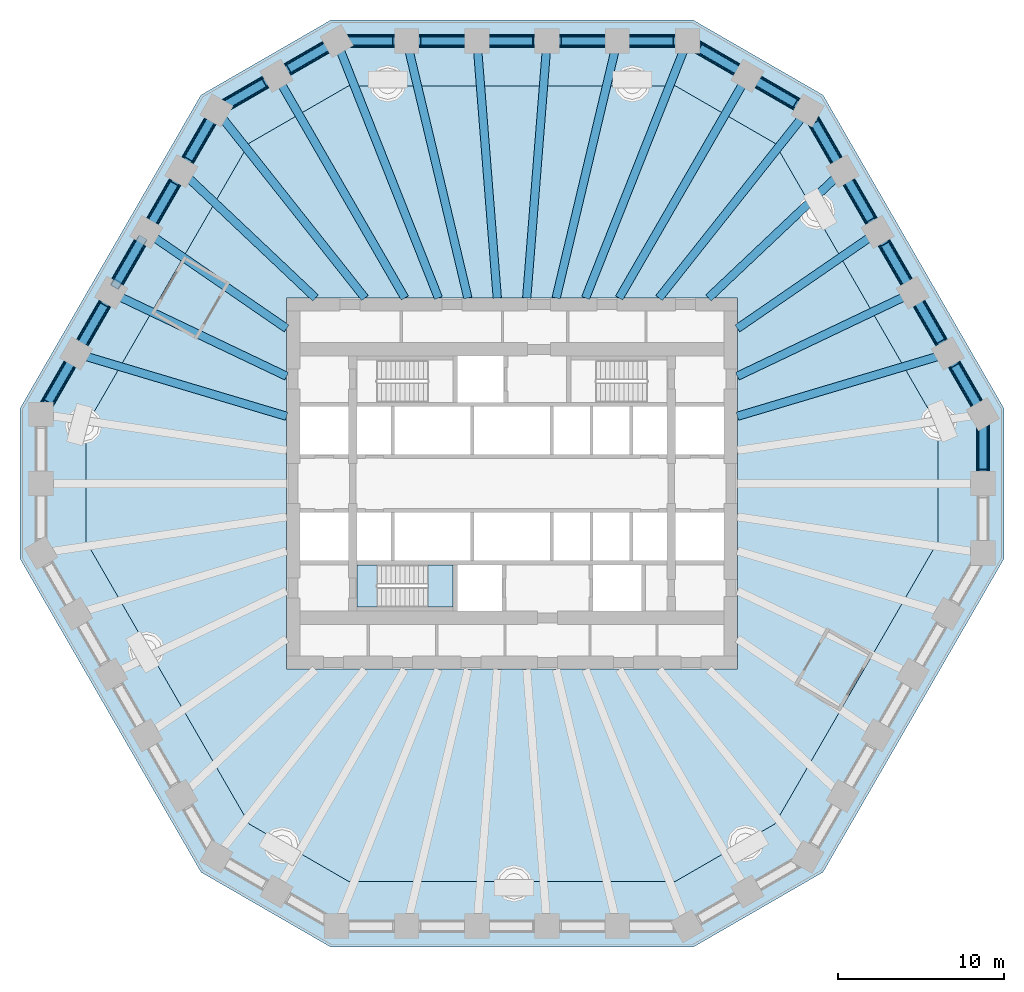
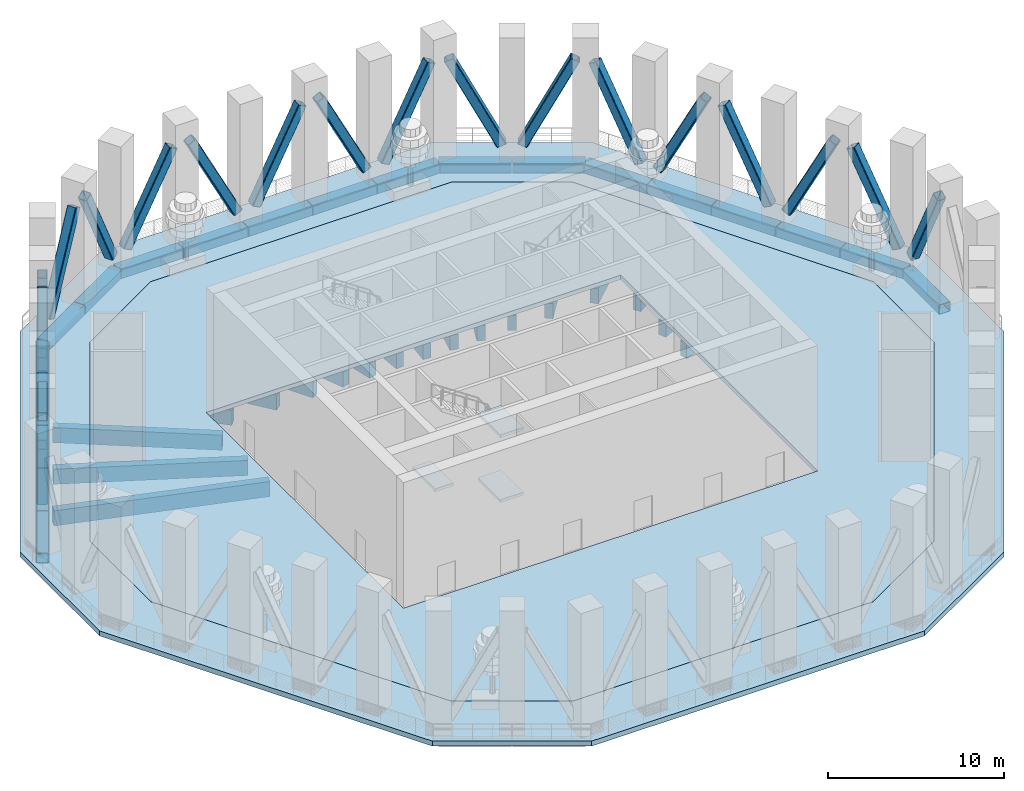
# One storey, part 2 of 10: 38 beams, 21 members, 5 slabs, 1 element without a shape of its own.
"""IFC4 building model written with IfcOpenShell, lengths in metres."""

import ifcopenshell
import ifcopenshell.guid

model = None  # the IFC model being written
_history = None  # IfcOwnerHistory: only IFC2X3 demands one
_inside = {}  # id of a spatial element -> (the spatial element, [elements in it])
_under = {}  # id of a project, library or spatial element -> (it, [spatial elements below it])
_declared = {}  # id of a project -> (the project, [libraries it declares])
_typed = {}  # id of a type object -> (the type object, [elements of that type])
_made_of = {}  # id of a material, layer set ... -> (it, [elements and type objects made of it])


def new_model(schema):
    """Start an empty IFC model of exactly this schema.

    Asked for "IFC4X3", IfcOpenShell would pick the latest addendum, in which some entities
    have other attributes; the version numbers below select the first issue.
    IFC2X3 requires an IfcOwnerHistory on every rooted entity: one is made here for all.
    """
    global model, _history
    if schema == "IFC4X3":
        model = ifcopenshell.file(schema_version=(4, 3, 0, 0))
    else:
        model = ifcopenshell.file(schema=schema)
    _inside.clear()
    _under.clear()
    _declared.clear()
    _typed.clear()
    _made_of.clear()
    _history = None
    if model.schema == "IFC2X3":
        org = make("IfcOrganization", Name="unknown")
        user = make(
            "IfcPersonAndOrganization",
            ThePerson=make("IfcPerson", FamilyName="unknown"),
            TheOrganization=org,
        )
        app = make(
            "IfcApplication",
            ApplicationDeveloper=org,
            Version="unknown",
            ApplicationFullName="unknown",
            ApplicationIdentifier="unknown",
        )
        _history = make(
            "IfcOwnerHistory",
            OwningUser=user,
            OwningApplication=app,
            ChangeAction="ADDED",
            CreationDate=0,
        )
    return model


def make(cls, **values):
    """One entity of the class cls with the attributes given. An attribute that is None is left unset."""
    return model.create_entity(
        cls, **{name: value for name, value in values.items() if value is not None}
    )


def rooted(cls, **values):
    """An entity with a GlobalId (a new one), such as an element, a storey or a relation."""
    return make(cls, GlobalId=ifcopenshell.guid.new(), OwnerHistory=_history, **values)


def si_unit(unit_type, name, prefix=None):
    """IfcSIUnit, for example si_unit("LENGTHUNIT", "METRE", prefix="MILLI")."""
    return make("IfcSIUnit", UnitType=unit_type, Prefix=prefix, Name=name)


def assignment(units):
    """IfcUnitAssignment: the units of a project."""
    return None if units is None else make("IfcUnitAssignment", Units=units)


def point(xyz):
    """IfcCartesianPoint."""
    return None if xyz is None else make("IfcCartesianPoint", Coordinates=xyz)


def direction(xyz):
    """IfcDirection."""
    return None if xyz is None else make("IfcDirection", DirectionRatios=xyz)


def frame(location, z_axis=None, x_axis=None):
    """IfcAxis2Placement3D, a coordinate frame: its origin and axes. An axis left out is left unset."""
    return make(
        "IfcAxis2Placement3D",
        Location=point(location),
        Axis=direction(z_axis),
        RefDirection=direction(x_axis),
    )


def frame_2d(location, x_axis=None):
    """IfcAxis2Placement2D, a coordinate frame in the plane: its origin and x axis."""
    return make(
        "IfcAxis2Placement2D", Location=point(location), RefDirection=direction(x_axis)
    )


def origin():
    """The frame at (0, 0, 0) with its axes left unset."""
    return frame((0.0, 0.0, 0.0))


def origin_2d():
    """The frame at (0, 0) in the plane with its x axis left unset."""
    return frame_2d((0.0, 0.0))


def place(relative_to, where):
    """IfcLocalPlacement: puts the frame where relative to a parent placement (None: the world)."""
    return make(
        "IfcLocalPlacement", PlacementRelTo=relative_to, RelativePlacement=where
    )


def context(
    kind, dimensions, precision=None, world=None, true_north=None, identifier=None
):
    """IfcGeometricRepresentationContext, for example the 3D "Model" context."""
    return make(
        "IfcGeometricRepresentationContext",
        ContextIdentifier=identifier,
        ContextType=kind,
        CoordinateSpaceDimension=dimensions,
        Precision=precision,
        WorldCoordinateSystem=world,
        TrueNorth=true_north,
    )


def subcontext(parent, identifier, kind, view, scale=None):
    """IfcGeometricRepresentationSubContext, for example "Body" below "Model"."""
    return make(
        "IfcGeometricRepresentationSubContext",
        ContextIdentifier=identifier,
        ContextType=kind,
        ParentContext=parent,
        TargetScale=scale,
        TargetView=view,
    )


def project(units=None, contexts=None):
    """IfcProject with its units and contexts."""
    return rooted(
        "IfcProject",
        Name="project",
        RepresentationContexts=contexts,
        UnitsInContext=assignment(units),
    )


def spatial(cls, under=None, at=None, **own):
    """A site, building, storey or space (cls), placed at a placement, below another one or the project."""
    s = rooted(cls, ObjectPlacement=at, **own)
    if under is not None:
        _under.setdefault(under.id(), (under, []))[1].append(s)
    return s


def polyline(points):
    """IfcPolyline through the points."""
    return make("IfcPolyline", Points=[point(p) for p in points])


def profile(cls, at=None, kind="AREA", **sizes):
    """A parametric profile (cls). Its sizes go by their IFC names, for example OverallWidth=200.0."""
    return make(cls, ProfileType=kind, Position=at, **sizes)


def rectangle(**sizes):
    """IfcRectangleProfileDef."""
    return profile("IfcRectangleProfileDef", **sizes)


def hollow_rectangle(**sizes):
    """IfcRectangleHollowProfileDef."""
    return profile("IfcRectangleHollowProfileDef", **sizes)


def outline(outer, holes=None, kind="AREA"):
    """IfcArbitraryClosedProfileDef: a profile drawn as a closed curve; with holes, ...WithVoids."""
    if holes is None:
        return make("IfcArbitraryClosedProfileDef", ProfileType=kind, OuterCurve=outer)
    return make(
        "IfcArbitraryProfileDefWithVoids",
        ProfileType=kind,
        OuterCurve=outer,
        InnerCurves=holes,
    )


def extrude(swept, where, along, depth):
    """IfcExtrudedAreaSolid: the profile swept, set in the frame where, extruded along a direction by depth."""
    return make(
        "IfcExtrudedAreaSolid",
        SweptArea=swept,
        Position=where,
        ExtrudedDirection=direction(along),
        Depth=depth,
    )


def shape(context_of_items, identifier, shape_type, items):
    """IfcShapeRepresentation: the items that make up one representation, for example the "Body"."""
    return make(
        "IfcShapeRepresentation",
        ContextOfItems=context_of_items,
        RepresentationIdentifier=identifier,
        RepresentationType=shape_type,
        Items=items,
    )


def material(Name=None, Category=None):
    """IfcMaterial."""
    return make("IfcMaterial", Name=Name, Category=Category)


def layer(
    of_material, thickness, ventilated=None, Name=None, Category=None, Priority=None
):
    """IfcMaterialLayer: one layer of a wall or slab, of a material (None: an air gap)."""
    return make(
        "IfcMaterialLayer",
        Material=of_material,
        LayerThickness=thickness,
        IsVentilated=ventilated,
        Name=Name,
        Category=Category,
        Priority=Priority,
    )


def layer_set(layers, Name=None):
    """IfcMaterialLayerSet."""
    return make("IfcMaterialLayerSet", MaterialLayers=layers, LayerSetName=Name)


def material_profile(
    of_material, cross_section, Name=None, Category=None, Priority=None
):
    """IfcMaterialProfile: a cross section and its material."""
    return make(
        "IfcMaterialProfile",
        Name=Name,
        Material=of_material,
        Profile=cross_section,
        Priority=Priority,
        Category=Category,
    )


def profile_set(profiles, Name=None, composite=None):
    """IfcMaterialProfileSet."""
    return make(
        "IfcMaterialProfileSet",
        Name=Name,
        MaterialProfiles=profiles,
        CompositeProfile=composite,
    )


def made_of(thing, what):
    """Note that an element or type object is made of a material, layer set ...; save() writes the relation."""
    if what is not None:
        _made_of.setdefault(what.id(), (what, []))[1].append(thing)
    return thing


def type_object(cls, material=None, **own):
    """A type object (cls), such as IfcWallType, which elements share."""
    return made_of(rooted(cls, **own), material)


def element(
    cls,
    number,
    at=None,
    inside=None,
    cuts=None,
    type_object=None,
    material=None,
    context=None,
    identifier="Body",
    shape_type=None,
    held_by="IfcProductDefinitionShape",
    body=None,
    shapes=None,
    **own,
):
    """One element of the class cls, such as IfcWall. Its Tag is "e" and its number.

    at: its placement. inside: the storey or other place that contains it. cuts: it is an
    opening in that element (IfcRelVoidsElement). A single representation is given by context,
    identifier, shape_type and body (its items); several are given by shapes. held_by: the class
    of the entity that holds the representations. save() writes the other relations.
    """
    e = rooted(cls, Tag="e%d" % number, ObjectPlacement=at, **own)
    if body is not None:
        shapes = [shape(context, identifier, shape_type, body)]
    if shapes is not None:
        e.Representation = make(held_by, Representations=shapes)
    if inside is not None:
        _inside.setdefault(inside.id(), (inside, []))[1].append(e)
    if cuts is not None:
        rooted(
            "IfcRelVoidsElement", RelatingBuildingElement=cuts, RelatedOpeningElement=e
        )
    if type_object is not None:
        _typed.setdefault(type_object.id(), (type_object, []))[1].append(e)
    return made_of(e, material)


def aggregate(whole, parts):
    """IfcRelAggregates: a whole, such as a stair, and the parts it consists of."""
    return rooted("IfcRelAggregates", RelatingObject=whole, RelatedObjects=parts)


def save(model, path):
    """Write the relations noted so far, then the file.

    IfcRelAggregates (storeys below a building ...), IfcRelContainedInSpatialStructure (elements
    in a storey), IfcRelDefinesByType, IfcRelAssociatesMaterial and IfcRelDeclares: one each for
    every whole, place, type object, material and project.
    """
    for whole, parts in _under.values():
        aggregate(whole, parts)
    for where, things in _inside.values():
        rooted(
            "IfcRelContainedInSpatialStructure",
            RelatedElements=things,
            RelatingStructure=where,
        )
    for kind, things in _typed.values():
        rooted("IfcRelDefinesByType", RelatedObjects=things, RelatingType=kind)
    for what, things in _made_of.values():
        rooted("IfcRelAssociatesMaterial", RelatedObjects=things, RelatingMaterial=what)
    for by, libraries in _declared.values():
        rooted("IfcRelDeclares", RelatingContext=by, RelatedDefinitions=libraries)
    model.write(path)


model = new_model("IFC4")

# Units and contexts
model_context = context("Model", 3, precision=1e-05, world=origin(), true_north=direction((0.0, 1.0)))
body_context = subcontext(model_context, "Body", "Model", "MODEL_VIEW")
ifc_project = project(units=[si_unit("LENGTHUNIT", "METRE"), si_unit("AREAUNIT", "SQUARE_METRE"), si_unit("VOLUMEUNIT", "CUBIC_METRE"), si_unit("PLANEANGLEUNIT", "RADIAN"), si_unit("MASSUNIT", "GRAM", prefix="KILO")], contexts=[model_context])

# Site, building, storey
site_placement = place(None, origin())
site = spatial("IfcSite", under=ifc_project, at=site_placement, CompositionType="ELEMENT")
building_placement = place(site_placement, origin())
building = spatial("IfcBuilding", under=site, at=building_placement, Name="Frailejon Research Tower", CompositionType="ELEMENT")
storey_placement = place(building_placement, frame((0.0, 0.0, 71.800048828125)))
storey = spatial("IfcBuildingStorey", under=building, at=storey_placement, Name="L16", CompositionType="ELEMENT", Elevation=71.800048828125)

# Beams
ifc_material_1 = material(Name="Concrete C60/75", Category="concrete")
ifc_material_profile_1 = material_profile(ifc_material_1, rectangle(XDim=0.5, YDim=1.050048828125, at=origin_2d()), Name="Girder 500x1050")
ifc_profile_set_1 = profile_set([ifc_material_profile_1], Name="Concrete C60/75")
beam_type_1 = type_object("IfcBeamType", Name="Girder 500x1050", PredefinedType="BEAM", material=ifc_profile_set_1)
beam_1_placement = place(storey_placement, frame((25.701904296875, 7.6748046875, -0.824951171875), z_axis=(-0.958191015444, -0.286129302802, 0.0), x_axis=(0.286129302802, -0.958191015444, 0.0)))
element("IfcBeam", 1, at=beam_1_placement, inside=storey, type_object=beam_type_1, Name="Girder 500x1050", PredefinedType="BEAM", context=body_context, shape_type="SweptSolid", body=[
    extrude(rectangle(XDim=0.5, YDim=1.050048828125, at=origin_2d()), origin(), (0.0, 0.0, 1.0), 12.6298828125),
])
beam_2_placement = place(storey_placement, frame((23.63720703125, 11.258544921875, -0.824951171875), z_axis=(-0.902819111329, -0.430020525346, 0.0), x_axis=(0.430020525346, -0.902819111329, 0.0)))
element("IfcBeam", 2, at=beam_2_placement, inside=storey, type_object=beam_type_1, Name="Girder 500x1050", PredefinedType="BEAM", context=body_context, shape_type="SweptSolid", body=[
    extrude(rectangle(XDim=0.5, YDim=1.050048828125, at=origin_2d()), origin(), (0.0, 0.0, 1.0), 11.117431640625),
])
beam_3_placement = place(storey_placement, frame((21.568603515625, 14.841064453125, -0.824951171875), z_axis=(-0.823809874317, -0.566866202007, 0.0), x_axis=(0.566866202007, -0.823809874317, 0.0)))
element("IfcBeam", 3, at=beam_3_placement, inside=storey, type_object=beam_type_1, Name="Girder 500x1050", PredefinedType="BEAM", context=body_context, shape_type="SweptSolid", body=[
    extrude(rectangle(XDim=0.5, YDim=1.050048828125, at=origin_2d()), origin(), (0.0, 0.0, 1.0), 9.6728515625),
])
beam_4_placement = place(storey_placement, frame((19.49755859375, 18.421142578125, -0.824951171875), z_axis=(-0.726883069611, -0.686761241709, 0.0), x_axis=(0.686761241709, -0.726883069611, 0.0)))
element("IfcBeam", 4, at=beam_4_placement, inside=storey, type_object=beam_type_1, Name="Girder 500x1050", PredefinedType="BEAM", context=body_context, shape_type="SweptSolid", body=[
    extrude(rectangle(XDim=0.5, YDim=1.050048828125, at=origin_2d()), origin(), (0.0, 0.0, 1.0), 10.514892578125),
])
beam_5_placement = place(storey_placement, frame((17.455322265625, 22.03564453125, -0.824951171875), z_axis=(-0.620935887758, -0.783861354638, 0.0), x_axis=(0.783861354638, -0.620935887758, 0.0)))
element("IfcBeam", 5, at=beam_5_placement, inside=storey, type_object=beam_type_1, Name="Girder 500x1050", PredefinedType="BEAM", context=body_context, shape_type="SweptSolid", body=[
    extrude(rectangle(XDim=0.5, YDim=1.050048828125, at=origin_2d()), origin(), (0.0, 0.0, 1.0), 13.823486328125),
])
beam_6_placement = place(storey_placement, frame((13.906494140625, 24.086669921875, -0.824951171875), z_axis=(-0.500001764457, -0.866024385072, 0.0), x_axis=(0.866024385072, -0.500001764457, 0.0)))
element("IfcBeam", 6, at=beam_6_placement, inside=storey, type_object=beam_type_1, Name="Girder 500x1050", PredefinedType="BEAM", context=body_context, shape_type="SweptSolid", body=[
    extrude(rectangle(XDim=0.5, YDim=1.050048828125, at=origin_2d()), origin(), (0.0, 0.0, 1.0), 14.88037109375),
])
beam_7_placement = place(storey_placement, frame((10.337890625, 26.089599609375, -0.824951171875), z_axis=(-0.368376797472, -0.929676575528, 0.0), x_axis=(0.929676575528, -0.368376797472, 0.0)))
element("IfcBeam", 7, at=beam_7_placement, inside=storey, type_object=beam_type_1, Name="Girder 500x1050", PredefinedType="BEAM", context=body_context, shape_type="SweptSolid", body=[
    extrude(rectangle(XDim=0.5, YDim=1.050048828125, at=origin_2d()), origin(), (0.0, 0.0, 1.0), 16.015869140625),
])
beam_8_placement = place(storey_placement, frame((6.204345703125, 26.095947265625, -0.824951171875), z_axis=(-0.231301473426, -0.972882124613, 0.0), x_axis=(0.972882124613, -0.231301473426, 0.0)))
element("IfcBeam", 8, at=beam_8_placement, inside=storey, type_object=beam_type_1, Name="Girder 500x1050", PredefinedType="BEAM", context=body_context, shape_type="SweptSolid", body=[
    extrude(rectangle(XDim=0.5, YDim=1.050048828125, at=origin_2d()), origin(), (0.0, 0.0, 1.0), 15.311279296875),
])
for number, where, z_axis, x_axis, name in (
    (9, (2.068359375, 26.099609375, -0.824951171875), (-0.078993399407, -0.996875139047, 0.0), (0.996875139047, -0.078993399407, 0.0), "Girder 500x1050"),
    (10, (-2.068359375, 26.099609375, -0.824951171875), (0.078993399407, -0.996875139047, 0.0), (0.996875139047, 0.078993399407, 0.0), "Girder 500x1050"),
):
    element("IfcBeam", number, at=place(storey_placement, frame(where, z_axis=z_axis, x_axis=x_axis)), inside=storey, type_object=beam_type_1, Name=name, PredefinedType="BEAM", context=body_context, shape_type="SweptSolid", body=[
        extrude(rectangle(XDim=0.5, YDim=1.050048828125, at=origin_2d()), origin(), (0.0, 0.0, 1.0), 14.9462890625),
    ])
beam_9_placement = place(storey_placement, frame((-6.204345703125, 26.095947265625, -0.824951171875), z_axis=(0.231301473426, -0.972882124613, 0.0), x_axis=(0.972882124613, 0.231301473426, 0.0)))
element("IfcBeam", 11, at=beam_9_placement, inside=storey, type_object=beam_type_1, Name="Girder 500x1050", PredefinedType="BEAM", context=body_context, shape_type="SweptSolid", body=[
    extrude(rectangle(XDim=0.5, YDim=1.050048828125, at=origin_2d()), origin(), (0.0, 0.0, 1.0), 15.311279296875),
])
beam_10_placement = place(storey_placement, frame((-10.35595703125, 26.134765625, -0.824951171875), z_axis=(0.368385929669, -0.929672956916, 0.0), x_axis=(0.929672956916, 0.368385929669, 0.0)))
element("IfcBeam", 12, at=beam_10_placement, inside=storey, type_object=beam_type_1, Name="Girder 500x1050", PredefinedType="BEAM", context=body_context, shape_type="SweptSolid", body=[
    extrude(rectangle(XDim=0.5, YDim=1.050048828125, at=origin_2d()), origin(), (0.0, 0.0, 1.0), 16.064697265625),
])
beam_11_placement = place(storey_placement, frame((-13.906494140625, 24.086669921875, -0.824951171875), z_axis=(0.500001764457, -0.866024385072, 0.0), x_axis=(0.866024385072, 0.500001764457, 0.0)))
element("IfcBeam", 13, at=beam_11_placement, inside=storey, type_object=beam_type_1, Name="Girder 500x1050", PredefinedType="BEAM", context=body_context, shape_type="SweptSolid", body=[
    extrude(rectangle(XDim=0.5, YDim=1.050048828125, at=origin_2d()), origin(), (0.0, 0.0, 1.0), 14.88037109375),
])
beam_12_placement = place(storey_placement, frame((-17.425048828125, 21.99755859375, -0.824951171875), z_axis=(0.620931264057, -0.783865017281, 0.0), x_axis=(0.783865017281, 0.620931264057, 0.0)))
element("IfcBeam", 14, at=beam_12_placement, inside=storey, type_object=beam_type_1, Name="Girder 500x1050", PredefinedType="BEAM", context=body_context, shape_type="SweptSolid", body=[
    extrude(rectangle(XDim=0.5, YDim=1.050048828125, at=origin_2d()), origin(), (0.0, 0.0, 1.0), 13.77490234375),
])
beam_13_placement = place(storey_placement, frame((-19.49755859375, 18.421142578125, -0.824951171875), z_axis=(0.726883069611, -0.686761241709, 0.0), x_axis=(0.686761241709, 0.726883069611, 0.0)))
element("IfcBeam", 15, at=beam_13_placement, inside=storey, type_object=beam_type_1, Name="Girder 500x1050", PredefinedType="BEAM", context=body_context, shape_type="SweptSolid", body=[
    extrude(rectangle(XDim=0.5, YDim=1.050048828125, at=origin_2d()), origin(), (0.0, 0.0, 1.0), 10.514892578125),
])
beam_14_placement = place(storey_placement, frame((-21.568603515625, 14.841064453125, -0.824951171875), z_axis=(0.823809874317, -0.566866202007, 0.0), x_axis=(0.566866202007, 0.823809874317, 0.0)))
element("IfcBeam", 16, at=beam_14_placement, inside=storey, type_object=beam_type_1, Name="Girder 500x1050", PredefinedType="BEAM", context=body_context, shape_type="SweptSolid", body=[
    extrude(rectangle(XDim=0.5, YDim=1.050048828125, at=origin_2d()), origin(), (0.0, 0.0, 1.0), 9.6728515625),
])
beam_15_placement = place(storey_placement, frame((-23.63720703125, 11.258544921875, -0.824951171875), z_axis=(0.902819111329, -0.430020525346, 0.0), x_axis=(0.430020525346, 0.902819111329, 0.0)))
element("IfcBeam", 17, at=beam_15_placement, inside=storey, type_object=beam_type_1, Name="Girder 500x1050", PredefinedType="BEAM", context=body_context, shape_type="SweptSolid", body=[
    extrude(rectangle(XDim=0.5, YDim=1.050048828125, at=origin_2d()), origin(), (0.0, 0.0, 1.0), 11.117431640625),
])
beam_16_placement = place(storey_placement, frame((-25.701904296875, 7.6748046875, -0.824951171875), z_axis=(0.958191015444, -0.286129302802, 0.0), x_axis=(0.286129302802, 0.958191015444, 0.0)))
element("IfcBeam", 18, at=beam_16_placement, inside=storey, type_object=beam_type_1, Name="Girder 500x1050", PredefinedType="BEAM", context=body_context, shape_type="SweptSolid", body=[
    extrude(rectangle(XDim=0.5, YDim=1.050048828125, at=origin_2d()), origin(), (0.0, 0.0, 1.0), 12.6298828125),
])
ifc_material_2 = material(Name="Steel S355", Category="steel")
ifc_material_profile_2 = material_profile(ifc_material_2, hollow_rectangle(XDim=0.800048828125, YDim=0.699951171875, WallThickness=0.050048828125, InnerFilletRadius=0.050048828125, OuterFilletRadius=0.10009765625, at=origin_2d()), Name="Ring chord")
ifc_profile_set_2 = profile_set([ifc_material_profile_2], Name="Steel S355")
beam_type_2 = type_object("IfcBeamType", Name="Ring chord", PredefinedType="BEAM", material=ifc_profile_set_2)
beam_17_placement = place(storey_placement, frame((28.412841796875, 0.02001953125, -0.699951171875), z_axis=(0.0, 1.0, 0.0), x_axis=(-1.0, 0.0, 0.0)))
element("IfcBeam", 19, at=beam_17_placement, inside=storey, type_object=beam_type_2, Name="Ring chord", PredefinedType="BEAM", context=body_context, shape_type="SweptSolid", body=[
    extrude(hollow_rectangle(XDim=0.800048828125, YDim=0.699951171875, WallThickness=0.050048828125, InnerFilletRadius=0.050048828125, OuterFilletRadius=0.10009765625, at=origin_2d()), origin(), (0.0, 0.0, 1.0), 4.1474609375),
])
for number, where, z_axis, x_axis, name in (
    (20, (28.40283203125, 4.204833984375, -0.699951171875), (-0.499991329354, 0.866030409726, 0.0), (-0.866030409726, -0.499991329354, 0.0), "Ring chord"),
    (21, (26.286865234375, 7.869873046875, -0.699951171875), (-0.499991329354, 0.866030409726, 0.0), (-0.866030409726, -0.499991329354, 0.0), "Ring chord"),
    (22, (24.1708984375, 11.534912109375, -0.699951171875), (-0.499991329354, 0.866030409726, 0.0), (-0.866030409726, -0.499991329354, 0.0), "Ring chord"),
    (23, (22.054931640625, 15.19970703125, -0.699951171875), (-0.499991329354, 0.866030409726, 0.0), (-0.866030409726, -0.499991329354, 0.0), "Ring chord"),
    (24, (19.93896484375, 18.86474609375, -0.699951171875), (-0.499991329354, 0.866030409726, 0.0), (-0.866030409726, -0.499991329354, 0.0), "Ring chord"),
):
    element("IfcBeam", number, at=place(storey_placement, frame(where, z_axis=z_axis, x_axis=x_axis)), inside=storey, type_object=beam_type_2, Name=name, PredefinedType="BEAM", context=body_context, shape_type="SweptSolid", body=[
        extrude(hollow_rectangle(XDim=0.800048828125, YDim=0.699951171875, WallThickness=0.050048828125, InnerFilletRadius=0.050048828125, OuterFilletRadius=0.10009765625, at=origin_2d()), origin(), (0.0, 0.0, 1.0), 4.19189453125),
    ])
for number, where, z_axis, x_axis, name in (
    (25, (17.815673828125, 22.5224609375, -0.699951171875), (-0.866039536849, 0.499975520016, 0.0), (-0.499975520016, -0.866039536849, 0.0), "Ring chord"),
    (26, (14.189208984375, 24.6162109375, -0.699951171875), (-0.866039536849, 0.499975520016, 0.0), (-0.499975520016, -0.866039536849, 0.0), "Ring chord"),
):
    element("IfcBeam", number, at=place(storey_placement, frame(where, z_axis=z_axis, x_axis=x_axis)), inside=storey, type_object=beam_type_2, Name=name, PredefinedType="BEAM", context=body_context, shape_type="SweptSolid", body=[
        extrude(hollow_rectangle(XDim=0.800048828125, YDim=0.699951171875, WallThickness=0.050048828125, InnerFilletRadius=0.050048828125, OuterFilletRadius=0.10009765625, at=origin_2d()), origin(), (0.0, 0.0, 1.0), 4.147705078125),
    ])
for number, where, z_axis, x_axis, name in (
    (27, (10.559814453125, 26.699951171875, -0.699951171875), (-1.0, 0.0, 0.0), (0.0, -1.0, 0.0), "Ring chord"),
    (28, (6.327880859375, 26.699951171875, -0.699951171875), (-1.0, 0.0, 0.0), (0.0, -1.0, 0.0), "Ring chord"),
    (29, (2.095947265625, 26.699951171875, -0.699951171875), (-1.0, 0.0, 0.0), (0.0, -1.0, 0.0), "Ring chord"),
    (30, (-2.135986328125, 26.699951171875, -0.699951171875), (-1.0, 0.0, 0.0), (0.0, -1.0, 0.0), "Ring chord"),
    (31, (-6.367919921875, 26.699951171875, -0.699951171875), (-1.0, 0.0, 0.0), (0.0, -1.0, 0.0), "Ring chord"),
):
    element("IfcBeam", number, at=place(storey_placement, frame(where, z_axis=z_axis, x_axis=x_axis)), inside=storey, type_object=beam_type_2, Name=name, PredefinedType="BEAM", context=body_context, shape_type="SweptSolid", body=[
        extrude(hollow_rectangle(XDim=0.800048828125, YDim=0.699951171875, WallThickness=0.050048828125, InnerFilletRadius=0.050048828125, OuterFilletRadius=0.10009765625, at=origin_2d()), origin(), (0.0, 0.0, 1.0), 4.19189453125),
    ])
for number, where, z_axis, x_axis, name in (
    (32, (-10.59716796875, 26.68994140625, -0.699951171875), (-0.866039536849, -0.499975520016, 0.0), (0.499975520016, -0.866039536849, 0.0), "Ring chord"),
    (33, (-14.2236328125, 24.59619140625, -0.699951171875), (-0.866039536849, -0.499975520016, 0.0), (0.499975520016, -0.866039536849, 0.0), "Ring chord"),
):
    element("IfcBeam", number, at=place(storey_placement, frame(where, z_axis=z_axis, x_axis=x_axis)), inside=storey, type_object=beam_type_2, Name=name, PredefinedType="BEAM", context=body_context, shape_type="SweptSolid", body=[
        extrude(hollow_rectangle(XDim=0.800048828125, YDim=0.699951171875, WallThickness=0.050048828125, InnerFilletRadius=0.050048828125, OuterFilletRadius=0.10009765625, at=origin_2d()), origin(), (0.0, 0.0, 1.0), 4.147705078125),
    ])
for number, where, z_axis, x_axis, name in (
    (34, (-17.843017578125, 22.4951171875, -0.699951171875), (-0.499991329354, -0.866030409726, 0.0), (0.866030409726, -0.499991329354, 0.0), "Ring chord"),
    (35, (-19.958984375, 18.830078125, -0.699951171875), (-0.499991329354, -0.866030409726, 0.0), (0.866030409726, -0.499991329354, 0.0), "Ring chord"),
    (36, (-22.074951171875, 15.165283203125, -0.699951171875), (-0.499991329354, -0.866030409726, 0.0), (0.866030409726, -0.499991329354, 0.0), "Ring chord"),
    (37, (-24.19091796875, 11.500244140625, -0.699951171875), (-0.499991329354, -0.866030409726, 0.0), (0.866030409726, -0.499991329354, 0.0), "Ring chord"),
    (38, (-26.306884765625, 7.835205078125, -0.699951171875), (-0.499991329354, -0.866030409726, 0.0), (0.866030409726, -0.499991329354, 0.0), "Ring chord"),
):
    element("IfcBeam", number, at=place(storey_placement, frame(where, z_axis=z_axis, x_axis=x_axis)), inside=storey, type_object=beam_type_2, Name=name, PredefinedType="BEAM", context=body_context, shape_type="SweptSolid", body=[
        extrude(hollow_rectangle(XDim=0.800048828125, YDim=0.699951171875, WallThickness=0.050048828125, InnerFilletRadius=0.050048828125, OuterFilletRadius=0.10009765625, at=origin_2d()), origin(), (0.0, 0.0, 1.0), 4.19189453125),
    ])

# Members
ifc_material_3 = material(Name="Steel S355", Category="steel")
ifc_material_profile_3 = material_profile(ifc_material_3, hollow_rectangle(XDim=0.60009765625, YDim=0.60009765625, WallThickness=0.0400390625, InnerFilletRadius=0.0400390625, OuterFilletRadius=0.080078125, at=origin_2d()), Name="Ring diagonal 9000")
ifc_profile_set_3 = profile_set([ifc_material_profile_3], Name="Steel S355")
member_type = type_object("IfcMemberType", Name="Ring diagonal 9000", PredefinedType="BRACE", material=ifc_profile_set_3)
member_1_placement = place(storey_placement, frame((28.412841796875, 0.60009765625, 6.7607421875), z_axis=(0.0, 0.450435182434, -0.892809132136), x_axis=(-1.0, 0.0, 0.0)))
element("IfcMember", 39, at=member_1_placement, inside=storey, type_object=member_type, Name="Ring truss diagonal", PredefinedType="BRACE", context=body_context, shape_type="SweptSolid", body=[
    extrude(hollow_rectangle(XDim=0.60009765625, YDim=0.60009765625, WallThickness=0.0400390625, InnerFilletRadius=0.0400390625, OuterFilletRadius=0.080078125, at=origin_2d()), origin(), (0.0, 0.0, 1.0), 6.632568359375),
])
for number, where, z_axis, x_axis, name in (
    (40, (28.11279296875, 4.707275390625, 0.82666015625), (-0.22713638341, 0.393373881412, 0.890879370484), (-0.866004557827, -0.500036104519, 0.0), "Ring truss diagonal"),
    (41, (25.996826171875, 8.3720703125, 6.773193359375), (-0.227101694055, 0.39337714923, -0.890886771156), (-0.866039425468, -0.499975712946, 0.0), "Ring truss diagonal"),
    (42, (23.880859375, 12.037109375, 0.82666015625), (-0.227101694055, 0.39337714923, 0.890886771156), (-0.866039425468, -0.499975712946, 0.0), "Ring truss diagonal"),
    (43, (21.764892578125, 15.7021484375, 6.773193359375), (-0.22713638341, 0.393373881412, -0.890879370484), (-0.866004557827, -0.500036104519, 0.0), "Ring truss diagonal"),
    (44, (19.64892578125, 19.3671875, 0.82666015625), (-0.22713638341, 0.393373881412, 0.890879370484), (-0.866004557827, -0.500036104519, 0.0), "Ring truss diagonal"),
):
    element("IfcMember", number, at=place(storey_placement, frame(where, z_axis=z_axis, x_axis=x_axis)), inside=storey, type_object=member_type, Name=name, PredefinedType="BRACE", context=body_context, shape_type="SweptSolid", body=[
        extrude(hollow_rectangle(XDim=0.60009765625, YDim=0.60009765625, WallThickness=0.0400390625, InnerFilletRadius=0.0400390625, OuterFilletRadius=0.080078125, at=origin_2d()), origin(), (0.0, 0.0, 1.0), 6.6748046875),
    ])
for number, where, z_axis, x_axis, name in (
    (45, (17.313232421875, 22.8125, 6.7607421875), (-0.390072673499, 0.225201907754, -0.892819920328), (-0.499988917992, -0.86603180189, 0.0), "Ring truss diagonal"),
    (46, (13.686767578125, 24.90625, 0.839111328125), (-0.390072673499, 0.225201907754, 0.892819920328), (-0.499988917992, -0.86603180189, 0.0), "Ring truss diagonal"),
):
    element("IfcMember", number, at=place(storey_placement, frame(where, z_axis=z_axis, x_axis=x_axis)), inside=storey, type_object=member_type, Name=name, PredefinedType="BRACE", context=body_context, shape_type="SweptSolid", body=[
        extrude(hollow_rectangle(XDim=0.60009765625, YDim=0.60009765625, WallThickness=0.0400390625, InnerFilletRadius=0.0400390625, OuterFilletRadius=0.080078125, at=origin_2d()), origin(), (0.0, 0.0, 1.0), 6.632568359375),
    ])
for number, where, z_axis, x_axis, name in (
    (47, (9.97998046875, 26.699951171875, 6.773193359375), (-0.454236969954, 0.0, -0.890880898396), (0.0, -1.0, 0.0), "Ring truss diagonal"),
    (48, (5.747802734375, 26.699951171875, 0.82666015625), (-0.454207940026, 0.0, 0.890895699405), (0.0, -1.0, 0.0), "Ring truss diagonal"),
):
    element("IfcMember", number, at=place(storey_placement, frame(where, z_axis=z_axis, x_axis=x_axis)), inside=storey, type_object=member_type, Name=name, PredefinedType="BRACE", context=body_context, shape_type="SweptSolid", body=[
        extrude(hollow_rectangle(XDim=0.60009765625, YDim=0.60009765625, WallThickness=0.0400390625, InnerFilletRadius=0.0400390625, OuterFilletRadius=0.080078125, at=origin_2d()), origin(), (0.0, 0.0, 1.0), 6.6748046875),
    ])
member_2_placement = place(storey_placement, frame((1.51611328125, 26.699951171875, 6.773193359375), z_axis=(-0.454265998436, 0.0, -0.890866096933), x_axis=(0.0, -1.0, 0.0)))
element("IfcMember", 49, at=member_2_placement, inside=storey, type_object=member_type, Name="Ring truss diagonal", PredefinedType="BRACE", context=body_context, shape_type="SweptSolid", body=[
    extrude(hollow_rectangle(XDim=0.60009765625, YDim=0.60009765625, WallThickness=0.0400390625, InnerFilletRadius=0.0400390625, OuterFilletRadius=0.080078125, at=origin_2d()), origin(), (0.0, 0.0, 1.0), 6.675048828125),
])
for number, where, z_axis, x_axis, name in (
    (50, (-2.716064453125, 26.699951171875, 0.82666015625), (-0.454207940026, 0.0, 0.890895699405), (0.0, -1.0, 0.0), "Ring truss diagonal"),
    (51, (-6.947998046875, 26.699951171875, 6.773193359375), (-0.454236969954, 0.0, -0.890880898396), (0.0, -1.0, 0.0), "Ring truss diagonal"),
):
    element("IfcMember", number, at=place(storey_placement, frame(where, z_axis=z_axis, x_axis=x_axis)), inside=storey, type_object=member_type, Name=name, PredefinedType="BRACE", context=body_context, shape_type="SweptSolid", body=[
        extrude(hollow_rectangle(XDim=0.60009765625, YDim=0.60009765625, WallThickness=0.0400390625, InnerFilletRadius=0.0400390625, OuterFilletRadius=0.080078125, at=origin_2d()), origin(), (0.0, 0.0, 1.0), 6.6748046875),
    ])
for number, where, z_axis, x_axis, name in (
    (52, (-11.099609375, 26.39990234375, 0.839111328125), (-0.390072673499, -0.225201907754, 0.892819920328), (0.499988917992, -0.86603180189, 0.0), "Ring truss diagonal"),
    (53, (-14.72607421875, 24.30615234375, 6.7607421875), (-0.390072673499, -0.225201907754, -0.892819920328), (0.499988917992, -0.86603180189, 0.0), "Ring truss diagonal"),
):
    element("IfcMember", number, at=place(storey_placement, frame(where, z_axis=z_axis, x_axis=x_axis)), inside=storey, type_object=member_type, Name=name, PredefinedType="BRACE", context=body_context, shape_type="SweptSolid", body=[
        extrude(hollow_rectangle(XDim=0.60009765625, YDim=0.60009765625, WallThickness=0.0400390625, InnerFilletRadius=0.0400390625, OuterFilletRadius=0.080078125, at=origin_2d()), origin(), (0.0, 0.0, 1.0), 6.632568359375),
    ])
for number, where, z_axis, x_axis, name in (
    (54, (-18.1328125, 21.992919921875, 0.82666015625), (-0.22713638341, -0.393373881412, 0.890879370484), (0.866004557827, -0.500036104519, 0.0), "Ring truss diagonal"),
    (55, (-20.248779296875, 18.327880859375, 6.773193359375), (-0.22713638341, -0.393373881412, -0.890879370484), (0.866004557827, -0.500036104519, 0.0), "Ring truss diagonal"),
):
    element("IfcMember", number, at=place(storey_placement, frame(where, z_axis=z_axis, x_axis=x_axis)), inside=storey, type_object=member_type, Name=name, PredefinedType="BRACE", context=body_context, shape_type="SweptSolid", body=[
        extrude(hollow_rectangle(XDim=0.60009765625, YDim=0.60009765625, WallThickness=0.0400390625, InnerFilletRadius=0.0400390625, OuterFilletRadius=0.080078125, at=origin_2d()), origin(), (0.0, 0.0, 1.0), 6.6748046875),
    ])
member_3_placement = place(storey_placement, frame((-22.364990234375, 14.662841796875, 2.800048828125), z_axis=(-0.499975712946, -0.866039425468, 0.0), x_axis=(0.866039425468, -0.499975712946, 0.0)))
element("IfcMember", 56, at=member_3_placement, inside=storey, type_object=member_type, Name="Ring truss door-head strut", PredefinedType="BRACE", context=body_context, shape_type="SweptSolid", body=[
    extrude(hollow_rectangle(XDim=0.60009765625, YDim=0.60009765625, WallThickness=0.0400390625, InnerFilletRadius=0.0400390625, OuterFilletRadius=0.080078125, at=origin_2d()), origin(), (0.0, 0.0, 1.0), 3.031982421875),
])
member_4_placement = place(storey_placement, frame((-22.364990234375, 14.662841796875, 3.530029296875), z_axis=(-0.31742073029, -0.549824441016, 0.772617087595), x_axis=(0.866039425468, -0.499975712946, 0.0)))
element("IfcMember", 57, at=member_4_placement, inside=storey, type_object=member_type, Name="Ring truss diagonal", PredefinedType="BRACE", context=body_context, shape_type="SweptSolid", body=[
    extrude(hollow_rectangle(XDim=0.60009765625, YDim=0.60009765625, WallThickness=0.0400390625, InnerFilletRadius=0.0400390625, OuterFilletRadius=0.080078125, at=origin_2d()), origin(), (0.0, 0.0, 1.0), 4.775634765625),
])
for number, where, z_axis, x_axis, name in (
    (58, (-24.48095703125, 10.997802734375, 6.773193359375), (-0.227101694055, -0.39337714923, -0.890886771156), (0.866039425468, -0.499975712946, 0.0), "Ring truss diagonal"),
    (59, (-26.5966796875, 7.3330078125, 0.82666015625), (-0.22713638341, -0.393373881412, 0.890879370484), (0.866004557827, -0.500036104519, 0.0), "Ring truss diagonal"),
):
    element("IfcMember", number, at=place(storey_placement, frame(where, z_axis=z_axis, x_axis=x_axis)), inside=storey, type_object=member_type, Name=name, PredefinedType="BRACE", context=body_context, shape_type="SweptSolid", body=[
        extrude(hollow_rectangle(XDim=0.60009765625, YDim=0.60009765625, WallThickness=0.0400390625, InnerFilletRadius=0.0400390625, OuterFilletRadius=0.080078125, at=origin_2d()), origin(), (0.0, 0.0, 1.0), 6.6748046875),
    ])

# Slab
ifc_material_4 = material(Name="Concrete C40/50", Category="concrete")
ifc_layer_1 = layer(ifc_material_4, 0.300048828125)
ifc_layer_set_1 = layer_set([ifc_layer_1], Name="Slab typical 300")
slab_type_1 = type_object("IfcSlabType", Name="Slab typical 300", PredefinedType="FLOOR", material=ifc_layer_set_1)
slab_1_placement = place(storey_placement, frame((0.0, 0.0, -0.300048828125)))
element("IfcSlab", 60, at=slab_1_placement, inside=storey, type_object=slab_type_1, Name="Floor slab L16", PredefinedType="FLOOR", context=body_context, shape_type="SweptSolid", body=[
    extrude(outline(polyline([(25.712890625, -3.464111328125), (25.712890625, 3.464111328125), (15.8564453125, 20.535888671875), (9.8564453125, 24.0), (-9.8564453125, 24.0), (-15.8564453125, 20.535888671875), (-25.712890625, 3.464111328125), (-25.712890625, -3.464111328125), (-15.8564453125, -20.535888671875), (-9.8564453125, -24.0), (9.8564453125, -24.0), (15.8564453125, -20.535888671875), (25.712890625, -3.464111328125)]), holes=[polyline([(13.60009765625, -11.199951171875), (-13.60009765625, -11.199951171875), (-13.60009765625, 11.199951171875), (13.60009765625, 11.199951171875), (13.60009765625, -11.199951171875)])]), origin(), (0.0, 0.0, 1.0), 0.300048828125),
])

# Stair, slabs
ifc_material_5 = material(Name="Concrete C50/60", Category="concrete")
stair_type = type_object("IfcStairType", Name="Exit stair 48 risers", PredefinedType="HALF_TURN_STAIR", material=ifc_material_5)
stair_placement = place(storey_placement, origin())
stair = element("IfcStair", 61, at=stair_placement, inside=storey, type_object=stair_type, Name="L16 Exit stair ST2", PredefinedType="HALF_TURN_STAIR")
ifc_material_6 = material(Name="Concrete C50/60", Category="concrete")
ifc_layer_2 = layer(ifc_material_6, 0.199951171875)
ifc_layer_set_2 = layer_set([ifc_layer_2], Name="Stair landing slab 200")
slab_type_2 = type_object("IfcSlabType", Name="Stair landing slab 200", PredefinedType="LANDING", material=ifc_layer_set_2)
slab_2_placement = place(storey_placement, frame((0.0, 0.0, 2.050048828125)))
slab_2 = element("IfcSlab", 62, at=slab_2_placement, type_object=slab_type_2, Name="ST2 landing 1", PredefinedType="LANDING", context=body_context, shape_type="SweptSolid", body=[
    extrude(outline(polyline([(-5.070068359375, -7.449951171875), (-3.550048828125, -7.449951171875), (-3.550048828125, -4.89990234375), (-5.070068359375, -4.89990234375), (-5.070068359375, -7.449951171875)])), origin(), (0.0, 0.0, 1.0), 0.199951171875),
])
slab_3_placement = place(storey_placement, frame((0.0, 0.0, 4.300048828125)))
slab_3 = element("IfcSlab", 63, at=slab_3_placement, type_object=slab_type_2, Name="ST2 landing 2", PredefinedType="LANDING", context=body_context, shape_type="SweptSolid", body=[
    extrude(outline(polyline([(-9.35009765625, -7.449951171875), (-8.14990234375, -7.449951171875), (-8.14990234375, -4.89990234375), (-9.35009765625, -4.89990234375), (-9.35009765625, -7.449951171875)])), origin(), (0.0, 0.0, 1.0), 0.199951171875),
])
slab_4_placement = place(storey_placement, frame((0.0, 0.0, 6.550048828125)))
slab_4 = element("IfcSlab", 64, at=slab_4_placement, type_object=slab_type_2, Name="ST2 landing 3", PredefinedType="LANDING", context=body_context, shape_type="SweptSolid", body=[
    extrude(outline(polyline([(-5.070068359375, -7.449951171875), (-3.550048828125, -7.449951171875), (-3.550048828125, -4.89990234375), (-5.070068359375, -4.89990234375), (-5.070068359375, -7.449951171875)])), origin(), (0.0, 0.0, 1.0), 0.199951171875),
])
aggregate(stair, [slab_2, slab_3, slab_4])

# Slab
ifc_material_7 = material(Name="Concrete C40/50", Category="concrete")
ifc_layer_3 = layer(ifc_material_7, 0.35009765625)
ifc_layer_set_3 = layer_set([ifc_layer_3], Name="Wind floor terrace slab 350")
slab_type_3 = type_object("IfcSlabType", Name="Wind floor terrace slab 350", PredefinedType="FLOOR", material=ifc_layer_set_3)
slab_5_placement = place(storey_placement, frame((0.0, 0.0, -0.35009765625)))
element("IfcSlab", 65, at=slab_5_placement, inside=storey, type_object=slab_type_3, Name="Wind floor terrace slab L16", PredefinedType="FLOOR", context=body_context, shape_type="SweptSolid", body=[
    extrude(outline(polyline([(18.76318359375, -23.442626953125), (10.92041015625, -27.970703125), (-10.92041015625, -27.970703125), (-18.76318359375, -23.442626953125), (-29.68359375, -4.528076171875), (-29.68359375, 4.528076171875), (-18.76318359375, 23.442626953125), (-10.92041015625, 27.970703125), (10.92041015625, 27.970703125), (18.76318359375, 23.442626953125), (29.68359375, 4.528076171875), (29.68359375, -4.528076171875), (18.76318359375, -23.442626953125)]), holes=[polyline([(25.712890625, 3.464111328125), (15.8564453125, 20.535888671875), (9.8564453125, 24.0), (-9.8564453125, 24.0), (-15.8564453125, 20.535888671875), (-25.712890625, 3.464111328125), (-25.712890625, -3.464111328125), (-15.8564453125, -20.535888671875), (-9.8564453125, -24.0), (9.8564453125, -24.0), (15.8564453125, -20.535888671875), (25.712890625, -3.464111328125), (25.712890625, 3.464111328125)])]), origin(), (0.0, 0.0, 1.0), 0.35009765625),
])

save(model, "model.ifc")
